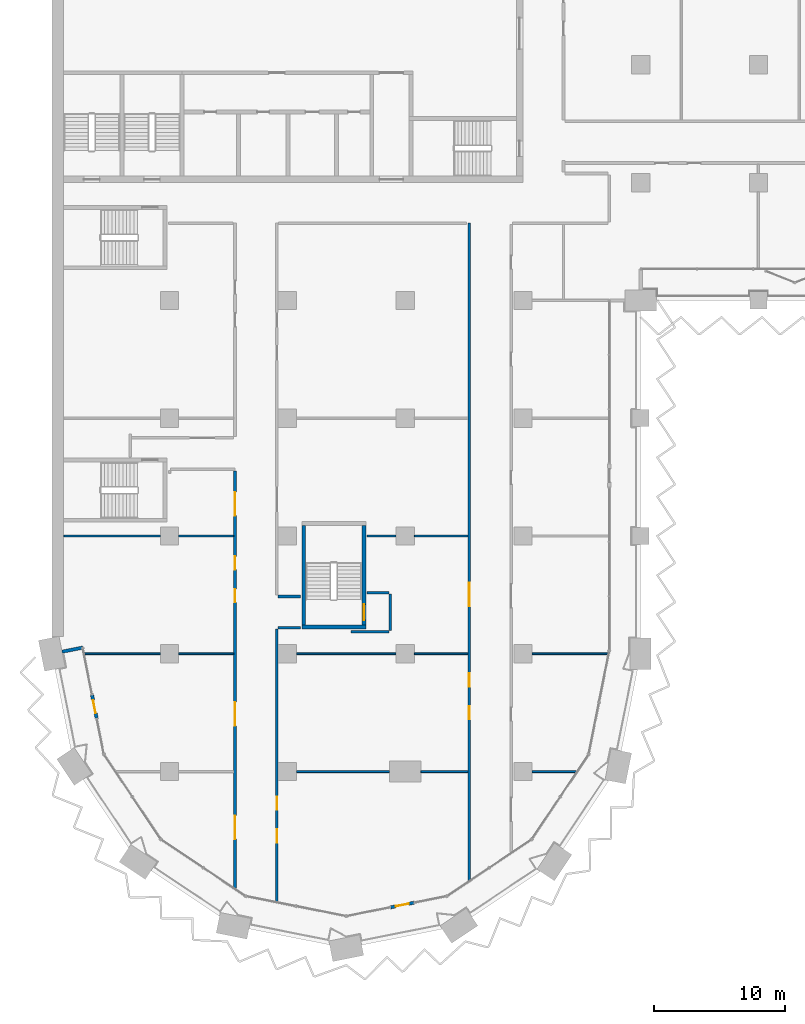
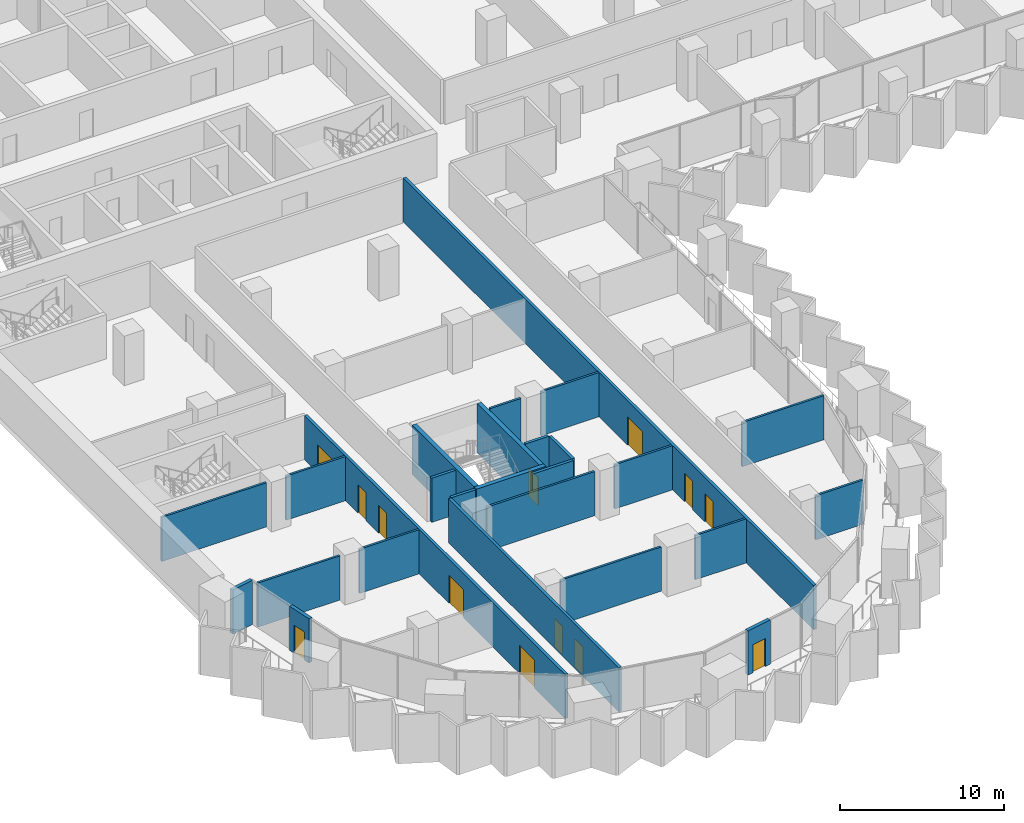
# One storey, part 10 of 28: 26 walls, 13 doors, 13 openings.
"""IFC4 building model written with IfcOpenShell, lengths in metres."""

from ifc_helpers import new_model, si_unit, direction, frame, frame_2d, origin, place, context, subcontext, project, spatial, rectangle, extrude, material, layer, layer_set, type_object, element, fill, save


model = new_model("IFC4")

# Units and contexts
model_context = context("Model", 3, precision=1e-05, world=origin(), true_north=direction((0.0, 1.0)))
body_context = subcontext(model_context, "Body", "Model", "MODEL_VIEW")
ifc_project = project(units=[si_unit("LENGTHUNIT", "METRE"), si_unit("AREAUNIT", "SQUARE_METRE"), si_unit("VOLUMEUNIT", "CUBIC_METRE"), si_unit("PLANEANGLEUNIT", "RADIAN"), si_unit("MASSUNIT", "GRAM", prefix="KILO")], contexts=[model_context])

# Site, building, storey
site_placement = place(None, origin())
site = spatial("IfcSite", under=ifc_project, at=site_placement, CompositionType="ELEMENT")
building_placement = place(site_placement, origin())
building = spatial("IfcBuilding", under=site, at=building_placement, Name="Hunhe Ridgeline Campus", CompositionType="ELEMENT")
storey_placement = place(building_placement, frame((0.0, 0.0, 35.800048828125)))
storey = spatial("IfcBuildingStorey", under=building, at=storey_placement, Name="L07", CompositionType="ELEMENT", Elevation=35.800048828125)

# Walls
ifc_material_1 = material(Name="Concrete C30", Category="concrete")
ifc_layer_1 = layer(ifc_material_1, 0.25)
ifc_layer_set_1 = layer_set([ifc_layer_1], Name="Corner return wall 250 Concrete C30")
wall_type_1 = type_object("IfcWallType", Name="Corner return wall 250 Concrete C30", PredefinedType="SOLIDWALL", material=ifc_layer_set_1)
wall_1_placement = place(storey_placement, frame((0.784423828125, 27.15673828125, 0.0), z_axis=(0.0, 0.0, 1.0), x_axis=(0.980826234823, 0.19488431718, 0.0)))
element("IfcWall", 1, at=wall_1_placement, inside=storey, type_object=wall_type_1, Name="Corner return wall 1", PredefinedType="SOLIDWALL", context=body_context, shape_type="SweptSolid", body=[
    extrude(rectangle(XDim=1.60107421875, YDim=0.25, at=frame_2d((0.800537109375, 0.0))), origin(), (0.0, 0.0, 1.0), 3.300048828125),
])
ifc_material_2 = material(Name="Gypsum board partition")
ifc_layer_2 = layer(ifc_material_2, 0.199951171875)
ifc_layer_set_2 = layer_set([ifc_layer_2], Name="Corridor partition 200 gypsum board on steel studs")
wall_type_2 = type_object("IfcWallType", Name="Corridor partition 200 gypsum board on steel studs", PredefinedType="PARTITIONING", material=ifc_layer_set_2)
wall_2_placement = place(storey_placement, frame((25.75, 28.675048828125, 0.0), z_axis=(0.0, 0.0, 1.0), x_axis=(-1.0, 0.0, 0.0)))
element("IfcWall", 2, at=wall_2_placement, inside=storey, type_object=wall_type_2, Name="F-L07-wall-011", PredefinedType="PARTITIONING", context=body_context, shape_type="SweptSolid", body=[
    extrude(rectangle(XDim=2.89990234375, YDim=0.199951171875, at=frame_2d((1.449951171875, 0.0))), origin(), (0.0, 0.0, 1.0), 3.300048828125),
])
for number, where, z_axis, x_axis, name in (
    (3, (18.99609375, 28.97509765625, 0.0), (0.0, 0.0, 1.0), (-1.0, 0.0, 0.0), "F-L07-wall-012"),
    (4, (17.300048828125, 31.375, 0.0), (0.0, 0.0, 1.0), (1.0, 0.0, 0.0), "F-L07-wall-013"),
):
    element("IfcWall", number, at=place(storey_placement, frame(where, z_axis=z_axis, x_axis=x_axis)), inside=storey, type_object=wall_type_2, Name=name, PredefinedType="PARTITIONING", context=body_context, shape_type="SweptSolid", body=[
        extrude(rectangle(XDim=1.696044921875, YDim=0.199951171875, at=frame_2d((0.84814453125, 0.0))), origin(), (0.0, 0.0, 1.0), 3.300048828125),
    ])
wall_3_placement = place(storey_placement, frame((24.10400390625, 31.675048828125, 0.0), z_axis=(0.0, 0.0, 1.0), x_axis=(1.0, 0.0, 0.0)))
element("IfcWall", 5, at=wall_3_placement, inside=storey, type_object=wall_type_2, Name="F-L07-wall-014", PredefinedType="PARTITIONING", context=body_context, shape_type="SweptSolid", body=[
    extrude(rectangle(XDim=1.64599609375, YDim=0.199951171875, at=frame_2d((0.822998046875, 0.0))), origin(), (0.0, 0.0, 1.0), 3.300048828125),
])

# Wall, openings, doors
wall_4_placement = place(storey_placement, frame((14.0, 9.091552734375, 0.0), z_axis=(0.0, 0.0, 1.0), x_axis=(0.0, 1.0, 0.0)))
wall_4 = element("IfcWall", 6, at=wall_4_placement, inside=storey, type_object=wall_type_2, Name="F-L07-wall-046", PredefinedType="PARTITIONING", context=body_context, shape_type="SweptSolid", body=[
    extrude(rectangle(XDim=31.8798828125, YDim=0.199951171875, at=frame_2d((15.93994140625, 0.0))), origin(), (0.0, 0.0, 1.0), 3.300048828125),
])
opening_1_placement = place(wall_4_placement, frame((3.743896484375, 0.0, 0.0)))
opening_1 = element("IfcOpeningElement", 7, at=opening_1_placement, cuts=wall_4, Name="Opening RD2-002", PredefinedType="OPENING", context=body_context, shape_type="SweptSolid", body=[
    extrude(rectangle(XDim=1.800048828125, YDim=2.10009765625, at=frame_2d((0.89990234375, 1.050048828125))), frame((0.0, 0.10009765625, 0.0), z_axis=(0.0, -1.0, 0.0), x_axis=(1.0, 0.0, 0.0)), (0.0, 0.0, 1.0), 0.199951171875),
])
opening_2_placement = place(wall_4_placement, frame((12.404296875, 0.0, 0.0)))
opening_2 = element("IfcOpeningElement", 8, at=opening_2_placement, cuts=wall_4, Name="Opening RD2-005", PredefinedType="OPENING", context=body_context, shape_type="SweptSolid", body=[
    extrude(rectangle(XDim=1.800048828125, YDim=2.10009765625, at=frame_2d((0.89990234375, 1.050048828125))), frame((0.0, 0.10009765625, 0.0), z_axis=(0.0, -1.0, 0.0), x_axis=(1.0, 0.0, 0.0)), (0.0, 0.0, 1.0), 0.199951171875),
])
opening_3_placement = place(wall_4_placement, frame((21.841064453125, 0.0, 0.0)))
opening_3 = element("IfcOpeningElement", 9, at=opening_3_placement, cuts=wall_4, Name="Opening RD1-009", PredefinedType="OPENING", context=body_context, shape_type="SweptSolid", body=[
    extrude(rectangle(XDim=1.0, YDim=2.10009765625, at=frame_2d((0.5, 1.050048828125))), frame((0.0, 0.10009765625, 0.0), z_axis=(0.0, -1.0, 0.0), x_axis=(1.0, 0.0, 0.0)), (0.0, 0.0, 1.0), 0.199951171875),
])
opening_4_placement = place(wall_4_placement, frame((24.341064453125, 0.0, 0.0)))
opening_4 = element("IfcOpeningElement", 10, at=opening_4_placement, cuts=wall_4, Name="Opening RD1-012", PredefinedType="OPENING", context=body_context, shape_type="SweptSolid", body=[
    extrude(rectangle(XDim=1.0, YDim=2.10009765625, at=frame_2d((0.5, 1.050048828125))), frame((0.0, 0.10009765625, 0.0), z_axis=(0.0, -1.0, 0.0), x_axis=(1.0, 0.0, 0.0)), (0.0, 0.0, 1.0), 0.199951171875),
])
opening_5_placement = place(wall_4_placement, frame((28.469482421875, 0.0, 0.0)))
opening_5 = element("IfcOpeningElement", 11, at=opening_5_placement, cuts=wall_4, Name="Opening RD2-013", PredefinedType="OPENING", context=body_context, shape_type="SweptSolid", body=[
    extrude(rectangle(XDim=1.800048828125, YDim=2.10009765625, at=frame_2d((0.89990234375, 1.050048828125))), frame((0.0, 0.10009765625, 0.0), z_axis=(0.0, -1.0, 0.0), x_axis=(1.0, 0.0, 0.0)), (0.0, 0.0, 1.0), 0.199951171875),
])
ifc_material_3 = material(Name="Timber door leaf", Category="wood")
door_type_1 = type_object("IfcDoorType", Name="Double fire door 1800x2100 timber FD60", OperationType="DOUBLE_DOOR_SINGLE_SWING", PredefinedType="DOOR", material=ifc_material_3)
door_1_placement = place(opening_1_placement, origin())
door_1 = element("IfcDoor", 12, at=door_1_placement, inside=storey, type_object=door_type_1, Name="F-L07-door-002", OperationType="DOUBLE_DOOR_SINGLE_SWING", OverallHeight=2.10009765625, OverallWidth=1.800048828125, PredefinedType="DOOR", context=body_context, shape_type="SweptSolid", body=[
    extrude(rectangle(XDim=1.800048828125, YDim=2.10009765625, at=frame_2d((0.89990234375, 1.050048828125))), frame((0.0, 0.02490234375, 0.0), z_axis=(0.0, -1.0, 0.0), x_axis=(1.0, 0.0, 0.0)), (0.0, 0.0, 1.0), 0.050048828125),
])
fill(opening_1, door_1)
door_2_placement = place(opening_2_placement, origin())
door_2 = element("IfcDoor", 13, at=door_2_placement, inside=storey, type_object=door_type_1, Name="F-L07-door-005", OperationType="DOUBLE_DOOR_SINGLE_SWING", OverallHeight=2.10009765625, OverallWidth=1.800048828125, PredefinedType="DOOR", context=body_context, shape_type="SweptSolid", body=[
    extrude(rectangle(XDim=1.800048828125, YDim=2.10009765625, at=frame_2d((0.89990234375, 1.050048828125))), frame((0.0, 0.02490234375, 0.0), z_axis=(0.0, -1.0, 0.0), x_axis=(1.0, 0.0, 0.0)), (0.0, 0.0, 1.0), 0.050048828125),
])
fill(opening_2, door_2)
door_3_placement = place(opening_5_placement, origin())
door_3 = element("IfcDoor", 14, at=door_3_placement, inside=storey, type_object=door_type_1, Name="F-L07-door-013", OperationType="DOUBLE_DOOR_SINGLE_SWING", OverallHeight=2.10009765625, OverallWidth=1.800048828125, PredefinedType="DOOR", context=body_context, shape_type="SweptSolid", body=[
    extrude(rectangle(XDim=1.800048828125, YDim=2.10009765625, at=frame_2d((0.89990234375, 1.050048828125))), frame((0.0, 0.02490234375, 0.0), z_axis=(0.0, -1.0, 0.0), x_axis=(1.0, 0.0, 0.0)), (0.0, 0.0, 1.0), 0.050048828125),
])
fill(opening_5, door_3)
door_type_2 = type_object("IfcDoorType", Name="Single fire door 1000x2100 timber FD60", OperationType="NOTDEFINED", PredefinedType="DOOR", material=ifc_material_3)
door_4_placement = place(opening_3_placement, frame((1.0, 0.0, 0.0), z_axis=(0.0, 0.0, 1.0), x_axis=(-1.0, 0.0, 0.0)))
door_4 = element("IfcDoor", 15, at=door_4_placement, inside=storey, type_object=door_type_2, Name="F-L07-door-009", OperationType="SINGLE_SWING_LEFT", OverallHeight=2.10009765625, OverallWidth=1.0, PredefinedType="DOOR", context=body_context, shape_type="SweptSolid", body=[
    extrude(rectangle(XDim=1.0, YDim=2.10009765625, at=frame_2d((0.5, 1.050048828125))), frame((0.0, 0.02490234375, 0.0), z_axis=(0.0, -1.0, 0.0), x_axis=(1.0, 0.0, 0.0)), (0.0, 0.0, 1.0), 0.050048828125),
])
fill(opening_3, door_4)
door_5_placement = place(opening_4_placement, frame((1.0, 0.0, 0.0), z_axis=(0.0, 0.0, 1.0), x_axis=(-1.0, 0.0, 0.0)))
door_5 = element("IfcDoor", 16, at=door_5_placement, inside=storey, type_object=door_type_2, Name="F-L07-door-012", OperationType="SINGLE_SWING_LEFT", OverallHeight=2.10009765625, OverallWidth=1.0, PredefinedType="DOOR", context=body_context, shape_type="SweptSolid", body=[
    extrude(rectangle(XDim=1.0, YDim=2.10009765625, at=frame_2d((0.5, 1.050048828125))), frame((0.0, 0.02490234375, 0.0), z_axis=(0.0, -1.0, 0.0), x_axis=(1.0, 0.0, 0.0)), (0.0, 0.0, 1.0), 0.050048828125),
])
fill(opening_4, door_5)

wall_5_placement = place(storey_placement, frame((17.199951171875, 28.875, 0.0), z_axis=(0.0, 0.0, 1.0), x_axis=(0.0, -1.0, 0.0)))
wall_5 = element("IfcWall", 17, at=wall_5_placement, inside=storey, type_object=wall_type_2, Name="F-L07-wall-048", PredefinedType="PARTITIONING", context=body_context, shape_type="SweptSolid", body=[
    extrude(rectangle(XDim=20.817626953125, YDim=0.199951171875, at=frame_2d((10.40869140625, 0.0))), origin(), (0.0, 0.0, 1.0), 3.300048828125),
])
opening_6_placement = place(wall_5_placement, frame((15.301513671875, 0.0, 0.0)))
opening_6 = element("IfcOpeningElement", 18, at=opening_6_placement, cuts=wall_5, Name="Opening RD1-001", PredefinedType="OPENING", context=body_context, shape_type="SweptSolid", body=[
    extrude(rectangle(XDim=1.0, YDim=2.10009765625, at=frame_2d((0.5, 1.050048828125))), frame((0.0, 0.10009765625, 0.0), z_axis=(0.0, -1.0, 0.0), x_axis=(1.0, 0.0, 0.0)), (0.0, 0.0, 1.0), 0.199951171875),
])
opening_7_placement = place(wall_5_placement, frame((12.801513671875, 0.0, 0.0)))
opening_7 = element("IfcOpeningElement", 19, at=opening_7_placement, cuts=wall_5, Name="Opening RD1-004", PredefinedType="OPENING", context=body_context, shape_type="SweptSolid", body=[
    extrude(rectangle(XDim=1.0, YDim=2.10009765625, at=frame_2d((0.5, 1.050048828125))), frame((0.0, 0.10009765625, 0.0), z_axis=(0.0, -1.0, 0.0), x_axis=(1.0, 0.0, 0.0)), (0.0, 0.0, 1.0), 0.199951171875),
])
door_6_placement = place(opening_6_placement, frame((1.0, 0.0, 0.0), z_axis=(0.0, 0.0, 1.0), x_axis=(-1.0, 0.0, 0.0)))
door_6 = element("IfcDoor", 20, at=door_6_placement, inside=storey, type_object=door_type_2, Name="F-L07-door-001", OperationType="SINGLE_SWING_LEFT", OverallHeight=2.10009765625, OverallWidth=1.0, PredefinedType="DOOR", context=body_context, shape_type="SweptSolid", body=[
    extrude(rectangle(XDim=1.0, YDim=2.10009765625, at=frame_2d((0.5, 1.050048828125))), frame((0.0, 0.02490234375, 0.0), z_axis=(0.0, -1.0, 0.0), x_axis=(1.0, 0.0, 0.0)), (0.0, 0.0, 1.0), 0.050048828125),
])
fill(opening_6, door_6)
door_7_placement = place(opening_7_placement, frame((1.0, 0.0, 0.0), z_axis=(0.0, 0.0, 1.0), x_axis=(-1.0, 0.0, 0.0)))
door_7 = element("IfcDoor", 21, at=door_7_placement, inside=storey, type_object=door_type_2, Name="F-L07-door-004", OperationType="SINGLE_SWING_RIGHT", OverallHeight=2.10009765625, OverallWidth=1.0, PredefinedType="DOOR", context=body_context, shape_type="SweptSolid", body=[
    extrude(rectangle(XDim=1.0, YDim=2.10009765625, at=frame_2d((0.5, 1.050048828125))), frame((0.0, 0.02490234375, 0.0), z_axis=(0.0, -1.0, 0.0), x_axis=(1.0, 0.0, 0.0)), (0.0, 0.0, 1.0), 0.050048828125),
])
fill(opening_7, door_7)

# Wall
wall_6_placement = place(storey_placement, frame((25.85009765625, 31.574951171875, 0.0), z_axis=(0.0, 0.0, 1.0), x_axis=(0.0, -1.0, 0.0)))
element("IfcWall", 22, at=wall_6_placement, inside=storey, type_object=wall_type_2, Name="F-L07-wall-050", PredefinedType="PARTITIONING", context=body_context, shape_type="SweptSolid", body=[
    extrude(rectangle(XDim=2.800048828125, YDim=0.199951171875, at=frame_2d((1.39990234375, 0.0))), origin(), (0.0, 0.0, 1.0), 3.300048828125),
])

# Wall, openings, doors
wall_7_placement = place(storey_placement, frame((31.89990234375, 9.69287109375, 0.0), z_axis=(0.0, 0.0, 1.0), x_axis=(0.0, 1.0, 0.0)))
wall_7 = element("IfcWall", 23, at=wall_7_placement, inside=storey, type_object=wall_type_2, Name="F-L07-wall-051", PredefinedType="PARTITIONING", context=body_context, shape_type="SweptSolid", body=[
    extrude(rectangle(XDim=50.20703125, YDim=0.199951171875, at=frame_2d((25.103515625, 0.0))), origin(), (0.0, 0.0, 1.0), 3.300048828125),
])
opening_8_placement = place(wall_7_placement, frame((12.302734375, 0.0, 0.0)))
opening_8 = element("IfcOpeningElement", 24, at=opening_8_placement, cuts=wall_7, Name="Opening RD1-007", PredefinedType="OPENING", context=body_context, shape_type="SweptSolid", body=[
    extrude(rectangle(XDim=1.0, YDim=2.10009765625, at=frame_2d((0.5, 1.050048828125))), frame((0.0, 0.10009765625, 0.0), z_axis=(0.0, -1.0, 0.0), x_axis=(1.0, 0.0, 0.0)), (0.0, 0.0, 1.0), 0.199951171875),
])
opening_9_placement = place(wall_7_placement, frame((14.802734375, 0.0, 0.0)))
opening_9 = element("IfcOpeningElement", 25, at=opening_9_placement, cuts=wall_7, Name="Opening RD1-008", PredefinedType="OPENING", context=body_context, shape_type="SweptSolid", body=[
    extrude(rectangle(XDim=1.0, YDim=2.10009765625, at=frame_2d((0.5, 1.050048828125))), frame((0.0, 0.10009765625, 0.0), z_axis=(0.0, -1.0, 0.0), x_axis=(1.0, 0.0, 0.0)), (0.0, 0.0, 1.0), 0.199951171875),
])
opening_10_placement = place(wall_7_placement, frame((20.940185546875, 0.0, 0.0)))
opening_10 = element("IfcOpeningElement", 26, at=opening_10_placement, cuts=wall_7, Name="Opening RD2-011", PredefinedType="OPENING", context=body_context, shape_type="SweptSolid", body=[
    extrude(rectangle(XDim=1.800048828125, YDim=2.10009765625, at=frame_2d((0.89990234375, 1.050048828125))), frame((0.0, 0.10009765625, 0.0), z_axis=(0.0, -1.0, 0.0), x_axis=(1.0, 0.0, 0.0)), (0.0, 0.0, 1.0), 0.199951171875),
])
door_8_placement = place(opening_10_placement, origin())
door_8 = element("IfcDoor", 27, at=door_8_placement, inside=storey, type_object=door_type_1, Name="F-L07-door-011", OperationType="DOUBLE_DOOR_SINGLE_SWING", OverallHeight=2.10009765625, OverallWidth=1.800048828125, PredefinedType="DOOR", context=body_context, shape_type="SweptSolid", body=[
    extrude(rectangle(XDim=1.800048828125, YDim=2.10009765625, at=frame_2d((0.89990234375, 1.050048828125))), frame((0.0, 0.02490234375, 0.0), z_axis=(0.0, -1.0, 0.0), x_axis=(1.0, 0.0, 0.0)), (0.0, 0.0, 1.0), 0.050048828125),
])
fill(opening_10, door_8)
door_9_placement = place(opening_8_placement, frame((1.0, 0.0, 0.0), z_axis=(0.0, 0.0, 1.0), x_axis=(-1.0, 0.0, 0.0)))
door_9 = element("IfcDoor", 28, at=door_9_placement, inside=storey, type_object=door_type_2, Name="F-L07-door-007", OperationType="SINGLE_SWING_LEFT", OverallHeight=2.10009765625, OverallWidth=1.0, PredefinedType="DOOR", context=body_context, shape_type="SweptSolid", body=[
    extrude(rectangle(XDim=1.0, YDim=2.10009765625, at=frame_2d((0.5, 1.050048828125))), frame((0.0, 0.02490234375, 0.0), z_axis=(0.0, -1.0, 0.0), x_axis=(1.0, 0.0, 0.0)), (0.0, 0.0, 1.0), 0.050048828125),
])
fill(opening_8, door_9)
door_10_placement = place(opening_9_placement, frame((1.0, 0.0, 0.0), z_axis=(0.0, 0.0, 1.0), x_axis=(-1.0, 0.0, 0.0)))
door_10 = element("IfcDoor", 29, at=door_10_placement, inside=storey, type_object=door_type_2, Name="F-L07-door-008", OperationType="SINGLE_SWING_LEFT", OverallHeight=2.10009765625, OverallWidth=1.0, PredefinedType="DOOR", context=body_context, shape_type="SweptSolid", body=[
    extrude(rectangle(XDim=1.0, YDim=2.10009765625, at=frame_2d((0.5, 1.050048828125))), frame((0.0, 0.02490234375, 0.0), z_axis=(0.0, -1.0, 0.0), x_axis=(1.0, 0.0, 0.0)), (0.0, 0.0, 1.0), 0.050048828125),
])
fill(opening_9, door_10)

# Wall, opening, door
ifc_layer_3 = layer(ifc_material_1, 0.25)
ifc_layer_set_3 = layer_set([ifc_layer_3], Name="Loggia door pier wall 250 Concrete C30")
wall_type_3 = type_object("IfcWallType", Name="Loggia door pier wall 250 Concrete C30", PredefinedType="SOLIDWALL", material=ifc_layer_set_3)
wall_8_placement = place(storey_placement, frame((3.076904296875, 23.8388671875, 0.0), z_axis=(0.0, 0.0, 1.0), x_axis=(0.195046569833, -0.980793982239, 0.0)))
wall_8 = element("IfcWall", 30, at=wall_8_placement, inside=storey, type_object=wall_type_3, Name="Loggia door pier 1", PredefinedType="SOLIDWALL", context=body_context, shape_type="SweptSolid", body=[
    extrude(rectangle(XDim=1.800048828125, YDim=0.25, at=frame_2d((0.89990234375, 0.0))), origin(), (0.0, 0.0, 1.0), 3.300048828125),
])
opening_11_placement = place(wall_8_placement, frame((0.39990234375, 0.0, 0.0)))
opening_11 = element("IfcOpeningElement", 31, at=opening_11_placement, cuts=wall_8, Name="Opening BD101", PredefinedType="OPENING", context=body_context, shape_type="SweptSolid", body=[
    extrude(rectangle(XDim=1.0, YDim=2.10009765625, at=frame_2d((0.5, 1.050048828125))), frame((0.0, 0.125, 0.0), z_axis=(0.0, -1.0, 0.0), x_axis=(1.0, 0.0, 0.0)), (0.0, 0.0, 1.0), 0.25),
])
ifc_material_4 = material(Name="Aluminium 6063", Category="aluminium")
door_type_3 = type_object("IfcDoorType", Name="Loggia glazed door 1000x2100", OperationType="NOTDEFINED", PredefinedType="DOOR", material=ifc_material_4)
door_11_placement = place(opening_11_placement, frame((1.0, 0.0, 0.0), z_axis=(0.0, 0.0, 1.0), x_axis=(-1.0, 0.0, 0.0)))
door_11 = element("IfcDoor", 32, at=door_11_placement, inside=storey, type_object=door_type_3, Name="Loggia door BD101", OperationType="SINGLE_SWING_RIGHT", OverallHeight=2.10009765625, OverallWidth=1.0, PredefinedType="DOOR", context=body_context, shape_type="SweptSolid", body=[
    extrude(rectangle(XDim=1.0, YDim=2.10009765625, at=frame_2d((0.5, 1.050048828125))), frame((0.0, 0.02490234375, 0.0), z_axis=(0.0, -1.0, 0.0), x_axis=(1.0, 0.0, 0.0)), (0.0, 0.0, 1.0), 0.050048828125),
])
fill(opening_11, door_11)

wall_9_placement = place(storey_placement, frame((25.8955078125, 7.62353515625, 0.0), z_axis=(0.0, 0.0, 1.0), x_axis=(0.980793982239, 0.195046569833, 0.0)))
wall_9 = element("IfcWall", 33, at=wall_9_placement, inside=storey, type_object=wall_type_3, Name="Loggia door pier 2", PredefinedType="SOLIDWALL", context=body_context, shape_type="SweptSolid", body=[
    extrude(rectangle(XDim=1.800048828125, YDim=0.25, at=frame_2d((0.89990234375, 0.0))), origin(), (0.0, 0.0, 1.0), 3.300048828125),
])
opening_12_placement = place(wall_9_placement, frame((0.39990234375, 0.0, 0.0)))
opening_12 = element("IfcOpeningElement", 34, at=opening_12_placement, cuts=wall_9, Name="Opening BD103", PredefinedType="OPENING", context=body_context, shape_type="SweptSolid", body=[
    extrude(rectangle(XDim=1.0, YDim=2.10009765625, at=frame_2d((0.5, 1.050048828125))), frame((0.0, 0.125, 0.0), z_axis=(0.0, -1.0, 0.0), x_axis=(1.0, 0.0, 0.0)), (0.0, 0.0, 1.0), 0.25),
])
door_12_placement = place(opening_12_placement, frame((1.0, 0.0, 0.0), z_axis=(0.0, 0.0, 1.0), x_axis=(-1.0, 0.0, 0.0)))
door_12 = element("IfcDoor", 35, at=door_12_placement, inside=storey, type_object=door_type_3, Name="Loggia door BD103", OperationType="SINGLE_SWING_RIGHT", OverallHeight=2.10009765625, OverallWidth=1.0, PredefinedType="DOOR", context=body_context, shape_type="SweptSolid", body=[
    extrude(rectangle(XDim=1.0, YDim=2.10009765625, at=frame_2d((0.5, 1.050048828125))), frame((0.0, 0.02490234375, 0.0), z_axis=(0.0, -1.0, 0.0), x_axis=(1.0, 0.0, 0.0)), (0.0, 0.0, 1.0), 0.050048828125),
])
fill(opening_12, door_12)

# Walls
ifc_layer_4 = layer(ifc_material_2, 0.14990234375)
ifc_layer_set_4 = layer_set([ifc_layer_4], Name="Room partition 150 gypsum board on steel studs")
wall_type_4 = type_object("IfcWallType", Name="Room partition 150 gypsum board on steel studs", PredefinedType="PARTITIONING", material=ifc_layer_set_4)
wall_10_placement = place(storey_placement, frame((18.699951171875, 18.0, 0.0), z_axis=(0.0, 0.0, 1.0), x_axis=(1.0, 0.0, 0.0)))
element("IfcWall", 36, at=wall_10_placement, inside=storey, type_object=wall_type_4, Name="F-L07-wall-003", PredefinedType="PARTITIONING", context=body_context, shape_type="SweptSolid", body=[
    extrude(rectangle(XDim=7.10009765625, YDim=0.14990234375, at=frame_2d((3.550048828125, 0.0))), origin(), (0.0, 0.0, 1.0), 3.300048828125),
])
wall_11_placement = place(storey_placement, frame((28.199951171875, 18.0, 0.0), z_axis=(0.0, 0.0, 1.0), x_axis=(1.0, 0.0, 0.0)))
element("IfcWall", 37, at=wall_11_placement, inside=storey, type_object=wall_type_4, Name="F-L07-wall-004", PredefinedType="PARTITIONING", context=body_context, shape_type="SweptSolid", body=[
    extrude(rectangle(XDim=3.60009765625, YDim=0.14990234375, at=frame_2d((1.800048828125, 0.0))), origin(), (0.0, 0.0, 1.0), 3.300048828125),
])
wall_12_placement = place(storey_placement, frame((36.699951171875, 18.0, 0.0), z_axis=(0.0, 0.0, 1.0), x_axis=(1.0, 0.0, 0.0)))
element("IfcWall", 38, at=wall_12_placement, inside=storey, type_object=wall_type_4, Name="F-L07-wall-005", PredefinedType="PARTITIONING", context=body_context, shape_type="SweptSolid", body=[
    extrude(rectangle(XDim=3.37451171875, YDim=0.14990234375, at=frame_2d((1.687255859375, 0.0))), origin(), (0.0, 0.0, 1.0), 3.300048828125),
])
wall_13_placement = place(storey_placement, frame((2.503173828125, 27.0, 0.0), z_axis=(0.0, 0.0, 1.0), x_axis=(1.0, 0.0, 0.0)))
element("IfcWall", 39, at=wall_13_placement, inside=storey, type_object=wall_type_4, Name="F-L07-wall-006", PredefinedType="PARTITIONING", context=body_context, shape_type="SweptSolid", body=[
    extrude(rectangle(XDim=5.796875, YDim=0.14990234375, at=frame_2d((2.8984375, 0.0))), origin(), (0.0, 0.0, 1.0), 3.300048828125),
])
wall_14_placement = place(storey_placement, frame((9.699951171875, 27.0, 0.0), z_axis=(0.0, 0.0, 1.0), x_axis=(1.0, 0.0, 0.0)))
element("IfcWall", 40, at=wall_14_placement, inside=storey, type_object=wall_type_4, Name="F-L07-wall-007", PredefinedType="PARTITIONING", context=body_context, shape_type="SweptSolid", body=[
    extrude(rectangle(XDim=4.199951171875, YDim=0.14990234375, at=frame_2d((2.10009765625, 0.0))), origin(), (0.0, 0.0, 1.0), 3.300048828125),
])
wall_15_placement = place(storey_placement, frame((18.699951171875, 27.0, 0.0), z_axis=(0.0, 0.0, 1.0), x_axis=(1.0, 0.0, 0.0)))
element("IfcWall", 41, at=wall_15_placement, inside=storey, type_object=wall_type_4, Name="F-L07-wall-008", PredefinedType="PARTITIONING", context=body_context, shape_type="SweptSolid", body=[
    extrude(rectangle(XDim=7.60009765625, YDim=0.14990234375, at=frame_2d((3.800048828125, 0.0))), origin(), (0.0, 0.0, 1.0), 3.300048828125),
])
wall_16_placement = place(storey_placement, frame((27.699951171875, 27.0, 0.0), z_axis=(0.0, 0.0, 1.0), x_axis=(1.0, 0.0, 0.0)))
element("IfcWall", 42, at=wall_16_placement, inside=storey, type_object=wall_type_4, Name="F-L07-wall-009", PredefinedType="PARTITIONING", context=body_context, shape_type="SweptSolid", body=[
    extrude(rectangle(XDim=4.10009765625, YDim=0.14990234375, at=frame_2d((2.050048828125, 0.0))), origin(), (0.0, 0.0, 1.0), 3.300048828125),
])
wall_17_placement = place(storey_placement, frame((36.699951171875, 27.0, 0.0), z_axis=(0.0, 0.0, 1.0), x_axis=(1.0, 0.0, 0.0)))
element("IfcWall", 43, at=wall_17_placement, inside=storey, type_object=wall_type_4, Name="F-L07-wall-010", PredefinedType="PARTITIONING", context=body_context, shape_type="SweptSolid", body=[
    extrude(rectangle(XDim=5.796875, YDim=0.14990234375, at=frame_2d((2.8984375, 0.0))), origin(), (0.0, 0.0, 1.0), 3.300048828125),
])
wall_18_placement = place(storey_placement, frame((0.919921875, 36.0, 0.0), z_axis=(0.0, 0.0, 1.0), x_axis=(1.0, 0.0, 0.0)))
element("IfcWall", 44, at=wall_18_placement, inside=storey, type_object=wall_type_4, Name="F-L07-wall-015", PredefinedType="PARTITIONING", context=body_context, shape_type="SweptSolid", body=[
    extrude(rectangle(XDim=7.380126953125, YDim=0.14990234375, at=frame_2d((3.68994140625, 0.0))), origin(), (0.0, 0.0, 1.0), 3.300048828125),
])
wall_19_placement = place(storey_placement, frame((9.699951171875, 36.0, 0.0), z_axis=(0.0, 0.0, 1.0), x_axis=(1.0, 0.0, 0.0)))
element("IfcWall", 45, at=wall_19_placement, inside=storey, type_object=wall_type_4, Name="F-L07-wall-016", PredefinedType="PARTITIONING", context=body_context, shape_type="SweptSolid", body=[
    extrude(rectangle(XDim=4.199951171875, YDim=0.14990234375, at=frame_2d((2.10009765625, 0.0))), origin(), (0.0, 0.0, 1.0), 3.300048828125),
])
wall_20_placement = place(storey_placement, frame((24.10400390625, 36.0, 0.0), z_axis=(0.0, 0.0, 1.0), x_axis=(1.0, 0.0, 0.0)))
element("IfcWall", 46, at=wall_20_placement, inside=storey, type_object=wall_type_4, Name="F-L07-wall-017", PredefinedType="PARTITIONING", context=body_context, shape_type="SweptSolid", body=[
    extrude(rectangle(XDim=2.196044921875, YDim=0.14990234375, at=frame_2d((1.09814453125, 0.0))), origin(), (0.0, 0.0, 1.0), 3.300048828125),
])
wall_21_placement = place(storey_placement, frame((27.699951171875, 36.0, 0.0), z_axis=(0.0, 0.0, 1.0), x_axis=(1.0, 0.0, 0.0)))
element("IfcWall", 47, at=wall_21_placement, inside=storey, type_object=wall_type_4, Name="F-L07-wall-018", PredefinedType="PARTITIONING", context=body_context, shape_type="SweptSolid", body=[
    extrude(rectangle(XDim=4.10009765625, YDim=0.14990234375, at=frame_2d((2.050048828125, 0.0))), origin(), (0.0, 0.0, 1.0), 3.300048828125),
])
ifc_material_5 = material(Name="Concrete C80", Category="concrete")
ifc_layer_5 = layer(ifc_material_5, 0.300048828125)
ifc_layer_set_5 = layer_set([ifc_layer_5], Name="Stair wall 300 reinforced concrete C80")
wall_type_5 = type_object("IfcWallType", Name="Stair wall 300 reinforced concrete C80", PredefinedType="SOLIDWALL", material=ifc_layer_set_5)
wall_22_placement = place(storey_placement, frame((19.10009765625, 29.050048828125, -0.400146484375), z_axis=(0.0, 0.0, 1.0), x_axis=(1.0, 0.0, 0.0)))
element("IfcWall", 48, at=wall_22_placement, inside=storey, type_object=wall_type_5, Name="L07 core wall 1", PredefinedType="SOLIDWALL", context=body_context, shape_type="SweptSolid", body=[
    extrude(rectangle(XDim=4.89990234375, YDim=0.300048828125, at=frame_2d((2.449951171875, 0.0))), origin(), (0.0, 0.0, 1.0), 3.7001953125),
])
wall_23_placement = place(storey_placement, frame((19.25, 29.199951171875, -0.400146484375), z_axis=(0.0, 0.0, 1.0), x_axis=(0.0, 1.0, 0.0)))
element("IfcWall", 49, at=wall_23_placement, inside=storey, type_object=wall_type_5, Name="L07 core wall 51", PredefinedType="SOLIDWALL", context=body_context, shape_type="SweptSolid", body=[
    extrude(rectangle(XDim=7.60009765625, YDim=0.300048828125, at=frame_2d((3.800048828125, 0.0))), origin(), (0.0, 0.0, 1.0), 3.7001953125),
])

# Wall, opening, door
wall_24_placement = place(storey_placement, frame((23.85009765625, 29.199951171875, -0.400146484375), z_axis=(0.0, 0.0, 1.0), x_axis=(0.0, 1.0, 0.0)))
wall_24 = element("IfcWall", 50, at=wall_24_placement, inside=storey, type_object=wall_type_5, Name="L07 core wall 56", PredefinedType="SOLIDWALL", context=body_context, shape_type="SweptSolid", body=[
    extrude(rectangle(XDim=7.60009765625, YDim=0.300048828125, at=frame_2d((3.800048828125, 0.0))), origin(), (0.0, 0.0, 1.0), 3.7001953125),
])
opening_13_placement = place(wall_24_placement, frame((0.375, 0.0, 0.39990234375)))
opening_13 = element("IfcOpeningElement", 51, at=opening_13_placement, cuts=wall_24, Name="Opening CD23", PredefinedType="OPENING", context=body_context, shape_type="SweptSolid", body=[
    extrude(rectangle(XDim=1.199951171875, YDim=2.10009765625, at=frame_2d((0.60009765625, 1.050048828125))), frame((0.0, 0.14990234375, 0.0), z_axis=(0.0, -1.0, 0.0), x_axis=(1.0, 0.0, 0.0)), (0.0, 0.0, 1.0), 0.300048828125),
])
ifc_material_6 = material(Name="Hollow metal fire door leaf")
door_type_4 = type_object("IfcDoorType", Name="Stair door 1200x2100 FD60", OperationType="SINGLE_SWING_LEFT", PredefinedType="DOOR", material=ifc_material_6)
door_13_placement = place(opening_13_placement, frame((1.199951171875, 0.0, 0.0), z_axis=(0.0, 0.0, 1.0), x_axis=(-1.0, 0.0, 0.0)))
door_13 = element("IfcDoor", 52, at=door_13_placement, inside=storey, type_object=door_type_4, Name="L07 door W3", OperationType="SINGLE_SWING_RIGHT", OverallHeight=2.10009765625, OverallWidth=1.199951171875, PredefinedType="DOOR", context=body_context, shape_type="SweptSolid", body=[
    extrude(rectangle(XDim=1.199951171875, YDim=2.10009765625, at=frame_2d((0.60009765625, 1.050048828125))), frame((0.0, 0.02490234375, 0.0), z_axis=(0.0, -1.0, 0.0), x_axis=(1.0, 0.0, 0.0)), (0.0, 0.0, 1.0), 0.050048828125),
])
fill(opening_13, door_13)

save(model, "model.ifc")
